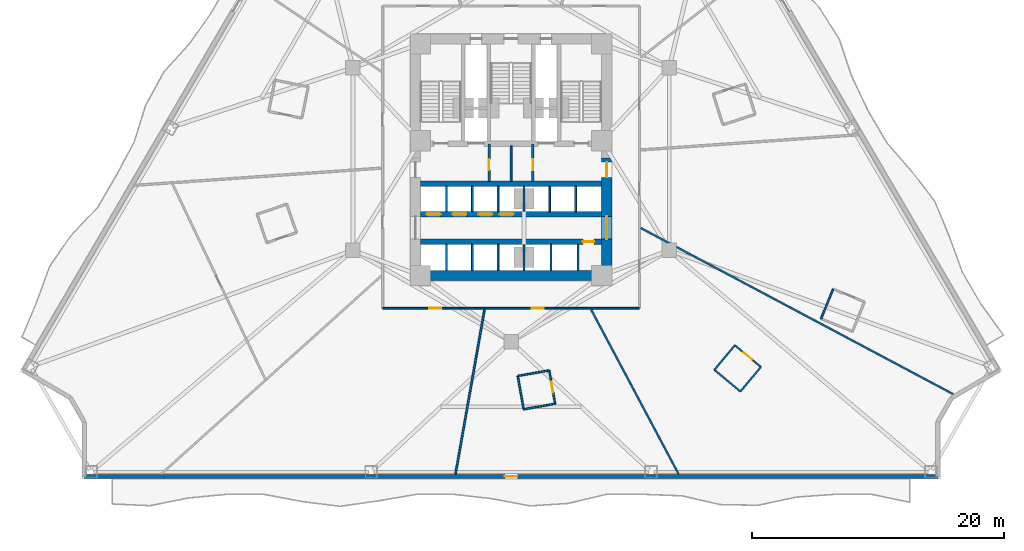
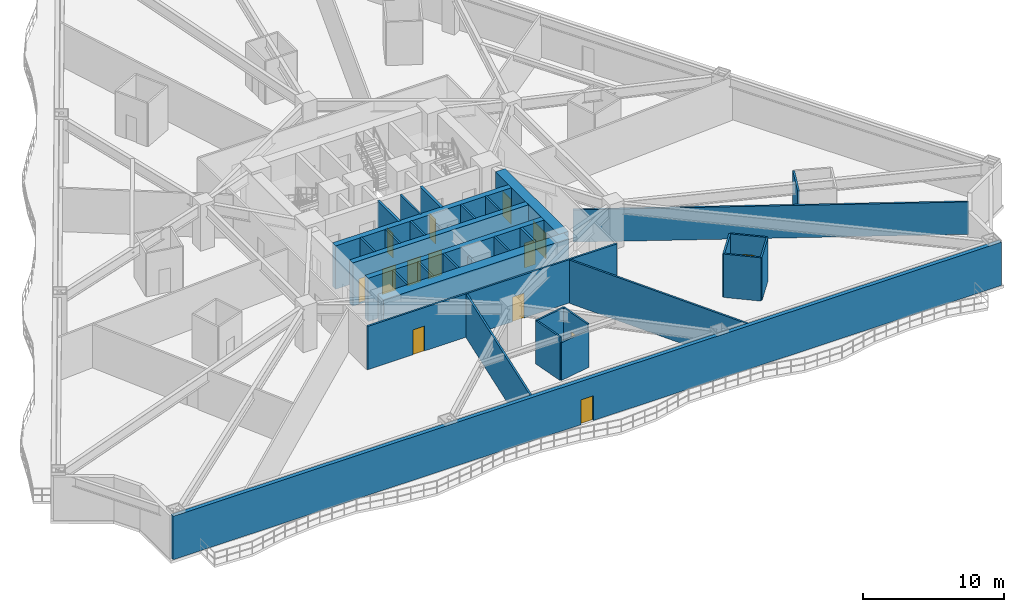
# One storey, part 4 of 12: 34 walls, 14 doors, 14 openings.
"""IFC4 building model written with IfcOpenShell, lengths in metres."""

from ifc_helpers import new_model, si_unit, direction, frame, frame_2d, origin, place, context, subcontext, project, spatial, rectangle, extrude, material, layer, layer_set, type_object, element, fill, save


model = new_model("IFC4")

# Units and contexts
model_context = context("Model", 3, precision=1e-05, world=origin(), true_north=direction((0.0, 1.0)))
body_context = subcontext(model_context, "Body", "Model", "MODEL_VIEW")
ifc_project = project(units=[si_unit("LENGTHUNIT", "METRE"), si_unit("AREAUNIT", "SQUARE_METRE"), si_unit("VOLUMEUNIT", "CUBIC_METRE"), si_unit("PLANEANGLEUNIT", "RADIAN"), si_unit("MASSUNIT", "GRAM", prefix="KILO")], contexts=[model_context])

# Site, building, storey
site_placement = place(None, origin())
site = spatial("IfcSite", under=ifc_project, at=site_placement, CompositionType="ELEMENT")
building_placement = place(site_placement, origin())
building = spatial("IfcBuilding", under=site, at=building_placement, Name="Apsidion Concourse Tower", CompositionType="ELEMENT")
storey_placement = place(building_placement, frame((0.0, 0.0, 34.39990234375)))
storey = spatial("IfcBuildingStorey", under=building, at=storey_placement, Name="L06", CompositionType="ELEMENT", Elevation=34.39990234375)

# Wall, opening, door
ifc_material_1 = material(Name="Precast concrete C40/50", Category="concrete")
ifc_layer_1 = layer(ifc_material_1, 0.320068359375)
ifc_layer_set_1 = layer_set([ifc_layer_1], Name="Precast concrete C40/50")
wall_type_1 = type_object("IfcWallType", Name="WL-EXT-320", PredefinedType="STANDARD", material=ifc_layer_set_1)
wall_1_placement = place(storey_placement, frame((33.88818359375, -25.199951171875, 0.0), z_axis=(0.0, 0.0, 1.0), x_axis=(-1.0, 0.0, 0.0)))
wall_1 = element("IfcWall", 1, at=wall_1_placement, inside=storey, type_object=wall_type_1, Name="L06 Precast Stone Facade Wall 05", PredefinedType="STANDARD", context=body_context, shape_type="SweptSolid", body=[
    extrude(rectangle(XDim=67.7763671875, YDim=0.320068359375, at=frame_2d((33.88818359375, 0.0))), origin(), (0.0, 0.0, 1.0), 3.75),
])
opening_1_placement = place(wall_1_placement, frame((33.38818359375, 0.0, 0.0)))
opening_1 = element("IfcOpeningElement", 2, at=opening_1_placement, cuts=wall_1, Name="Opening D-T1R", PredefinedType="OPENING", context=body_context, shape_type="SweptSolid", body=[
    extrude(rectangle(XDim=1.0, YDim=2.14990234375, at=frame_2d((0.5, 1.074951171875))), frame((0.0, 0.169921875, 0.0), z_axis=(0.0, -1.0, 0.0), x_axis=(1.0, 0.0, 0.0)), (0.0, 0.0, 1.0), 0.340087890625),
])
ifc_material_2 = material(Name="Anodised aluminium EN AW-6063 T6", Category="aluminium")
door_type_1 = type_object("IfcDoorType", Name="DR-TER-1022R", OperationType="SINGLE_SWING_RIGHT", PredefinedType="DOOR", material=ifc_material_2)
door_1_placement = place(opening_1_placement, origin())
door_1 = element("IfcDoor", 3, at=door_1_placement, inside=storey, type_object=door_type_1, Name="L06 Balcony Access Door 2", OperationType="SINGLE_SWING_RIGHT", OverallHeight=2.14990234375, OverallWidth=1.0, PredefinedType="DOOR", context=body_context, shape_type="SweptSolid", body=[
    extrude(rectangle(XDim=1.0, YDim=2.14990234375, at=frame_2d((0.5, 1.074951171875))), frame((0.0, 0.02490234375, 0.0), z_axis=(0.0, -1.0, 0.0), x_axis=(1.0, 0.0, 0.0)), (0.0, 0.0, 1.0), 0.050048828125),
])
fill(opening_1, door_1)

# Walls
ifc_material_3 = material(Name="Gypsum plasterboard partition")
ifc_layer_2 = layer(ifc_material_3, 0.139892578125)
ifc_layer_set_2 = layer_set([ifc_layer_2], Name="Gypsum plasterboard partition")
wall_type_2 = type_object("IfcWallType", Name="WL-INT-PAR-140", PredefinedType="PARTITIONING", material=ifc_layer_set_2)
wall_2_placement = place(storey_placement, frame((0.53271484375, -17.226806640625, 0.0), z_axis=(0.0, 0.0, 1.0), x_axis=(0.173707672725, -0.984797260575, 0.0)))
element("IfcWall", 4, at=wall_2_placement, inside=storey, type_object=wall_type_2, Name="L06 Interior Partition WL-L06-POD-ENS02-S1", PredefinedType="PARTITIONING", context=body_context, shape_type="SweptSolid", body=[
    extrude(rectangle(XDim=2.690185546875, YDim=0.139892578125, at=frame_2d((1.34521484375, 0.0))), origin(), (0.0, 0.0, 1.0), 3.75),
])
wall_3_placement = place(storey_placement, frame((1.0, -19.8759765625, 0.0), z_axis=(0.0, 0.0, 1.0), x_axis=(0.984799038106, 0.173697595106, 0.0)))
element("IfcWall", 5, at=wall_3_placement, inside=storey, type_object=wall_type_2, Name="L06 Interior Partition WL-L06-POD-ENS02-S2", PredefinedType="PARTITIONING", context=body_context, shape_type="SweptSolid", body=[
    extrude(rectangle(XDim=2.539794921875, YDim=0.139892578125, at=frame_2d((1.27001953125, 0.0))), origin(), (0.0, 0.0, 1.0), 3.254150390625),
])

# Wall, opening, door
wall_4_placement = place(storey_placement, frame((3.501220703125, -19.434814453125, 0.0), z_axis=(0.0, 0.0, 1.0), x_axis=(-0.17363517219, 0.98481004614, 0.0)))
wall_4 = element("IfcWall", 6, at=wall_4_placement, inside=storey, type_object=wall_type_2, Name="L06 Interior Partition WL-L06-POD-ENS02-S3", PredefinedType="PARTITIONING", context=body_context, shape_type="SweptSolid", body=[
    extrude(rectangle(XDim=2.689697265625, YDim=0.139892578125, at=frame_2d((1.3447265625, 0.0))), origin(), (0.0, 0.0, 1.0), 3.75),
])
opening_2_placement = place(wall_4_placement, frame((0.905029296875, 0.0, 0.0)))
opening_2 = element("IfcOpeningElement", 7, at=opening_2_placement, cuts=wall_4, Name="Opening D-03L", PredefinedType="OPENING", context=body_context, shape_type="SweptSolid", body=[
    extrude(rectangle(XDim=0.8798828125, YDim=2.10009765625, at=frame_2d((0.43994140625, 1.050048828125))), frame((0.0, 0.080078125, 0.0), z_axis=(0.0, -1.0, 0.0), x_axis=(1.0, 0.0, 0.0)), (0.0, 0.0, 1.0), 0.159912109375),
])
door_type_2 = type_object("IfcDoorType", Name="DR-INT-D03L", OperationType="SINGLE_SWING_LEFT", PredefinedType="DOOR", material=ifc_material_2)
door_2_placement = place(opening_2_placement, origin())
door_2 = element("IfcDoor", 8, at=door_2_placement, inside=storey, type_object=door_type_2, Name="L06 Guest En-Suite Bathroom Door ENS02", OperationType="SINGLE_SWING_LEFT", OverallHeight=2.10009765625, OverallWidth=0.8798828125, PredefinedType="DOOR", context=body_context, shape_type="SweptSolid", body=[
    extrude(rectangle(XDim=0.8798828125, YDim=2.10009765625, at=frame_2d((0.43994140625, 1.050048828125))), frame((0.0, 0.02490234375, 0.0), z_axis=(0.0, -1.0, 0.0), x_axis=(1.0, 0.0, 0.0)), (0.0, 0.0, 1.0), 0.050048828125),
])
fill(opening_2, door_2)

# Walls
wall_5_placement = place(storey_placement, frame((3.0341796875, -16.785888671875, 0.0), z_axis=(0.0, 0.0, 1.0), x_axis=(-0.98481837351, -0.173587935054, 0.0)))
element("IfcWall", 9, at=wall_5_placement, inside=storey, type_object=wall_type_2, Name="L06 Interior Partition WL-L06-POD-ENS02-S4", PredefinedType="PARTITIONING", context=body_context, shape_type="SweptSolid", body=[
    extrude(rectangle(XDim=2.5400390625, YDim=0.139892578125, at=frame_2d((1.27001953125, 0.0))), origin(), (0.0, 0.0, 1.0), 3.75),
])
wall_6_placement = place(storey_placement, frame((16.14794921875, -16.7392578125, 0.0), z_axis=(0.0, 0.0, 1.0), x_axis=(0.76716376368, -0.641451291757, 0.0)))
element("IfcWall", 10, at=wall_6_placement, inside=storey, type_object=wall_type_2, Name="L06 Interior Partition WL-L06-POD-ENS03-S1", PredefinedType="PARTITIONING", context=body_context, shape_type="SweptSolid", body=[
    extrude(rectangle(XDim=2.689697265625, YDim=0.139892578125, at=frame_2d((1.3447265625, 0.0))), origin(), (0.0, 0.0, 1.0), 3.75),
])
wall_7_placement = place(storey_placement, frame((18.21142578125, -18.464599609375, 0.0), z_axis=(0.0, 0.0, 1.0), x_axis=(0.641497613341, 0.767125030277, 0.0)))
element("IfcWall", 11, at=wall_7_placement, inside=storey, type_object=wall_type_2, Name="L06 Interior Partition WL-L06-POD-ENS03-S2", PredefinedType="PARTITIONING", context=body_context, shape_type="SweptSolid", body=[
    extrude(rectangle(XDim=2.5400390625, YDim=0.139892578125, at=frame_2d((1.27001953125, 0.0))), origin(), (0.0, 0.0, 1.0), 3.75),
])

# Wall, opening, door
wall_8_placement = place(storey_placement, frame((19.8408203125, -16.51611328125, 0.0), z_axis=(0.0, 0.0, 1.0), x_axis=(-0.767156445247, 0.641460044364, 0.0)))
wall_8 = element("IfcWall", 12, at=wall_8_placement, inside=storey, type_object=wall_type_2, Name="L06 Interior Partition WL-L06-POD-ENS03-S3", PredefinedType="PARTITIONING", context=body_context, shape_type="SweptSolid", body=[
    extrude(rectangle(XDim=2.690185546875, YDim=0.139892578125, at=frame_2d((1.34521484375, 0.0))), origin(), (0.0, 0.0, 1.0), 3.75),
])
opening_3_placement = place(wall_8_placement, frame((0.905029296875, 0.0, 0.0)))
opening_3 = element("IfcOpeningElement", 13, at=opening_3_placement, cuts=wall_8, Name="Opening D-03R", PredefinedType="OPENING", context=body_context, shape_type="SweptSolid", body=[
    extrude(rectangle(XDim=0.8798828125, YDim=2.10009765625, at=frame_2d((0.43994140625, 1.050048828125))), frame((0.0, 0.080078125, 0.0), z_axis=(0.0, -1.0, 0.0), x_axis=(1.0, 0.0, 0.0)), (0.0, 0.0, 1.0), 0.159912109375),
])
door_type_3 = type_object("IfcDoorType", Name="DR-INT-D03R", OperationType="SINGLE_SWING_RIGHT", PredefinedType="DOOR", material=ifc_material_2)
door_3_placement = place(opening_3_placement, origin())
door_3 = element("IfcDoor", 14, at=door_3_placement, inside=storey, type_object=door_type_3, Name="L06 Guest En-Suite Bathroom Door ENS03", OperationType="SINGLE_SWING_RIGHT", OverallHeight=2.10009765625, OverallWidth=0.8798828125, PredefinedType="DOOR", context=body_context, shape_type="SweptSolid", body=[
    extrude(rectangle(XDim=0.8798828125, YDim=2.10009765625, at=frame_2d((0.43994140625, 1.050048828125))), frame((0.0, 0.02490234375, 0.0), z_axis=(0.0, -1.0, 0.0), x_axis=(1.0, 0.0, 0.0)), (0.0, 0.0, 1.0), 0.050048828125),
])
fill(opening_3, door_3)

# Walls
wall_9_placement = place(storey_placement, frame((17.777099609375, -14.79052734375, 0.0), z_axis=(0.0, 0.0, 1.0), x_axis=(-0.641393743612, -0.767211877942, 0.0)))
element("IfcWall", 15, at=wall_9_placement, inside=storey, type_object=wall_type_2, Name="L06 Interior Partition WL-L06-POD-ENS03-S4", PredefinedType="PARTITIONING", context=body_context, shape_type="SweptSolid", body=[
    extrude(rectangle(XDim=2.5400390625, YDim=0.139892578125, at=frame_2d((1.27001953125, 0.0))), origin(), (0.0, 0.0, 1.0), 3.75),
])
wall_10_placement = place(storey_placement, frame((25.57568359375, -10.328857421875, 0.0), z_axis=(0.0, 0.0, 1.0), x_axis=(-0.376224921193, -0.926528363664, 0.0)))
element("IfcWall", 16, at=wall_10_placement, inside=storey, type_object=wall_type_2, Name="L06 Interior Partition WL-L06-POD-ENS04-S4", PredefinedType="PARTITIONING", context=body_context, shape_type="SweptSolid", body=[
    extrude(rectangle(XDim=2.539794921875, YDim=0.139892578125, at=frame_2d((1.27001953125, 0.0))), origin(), (0.0, 0.0, 1.0), 3.75),
])
ifc_layer_3 = layer(ifc_material_3, 0.14990234375)
ifc_layer_set_3 = layer_set([ifc_layer_3], Name="Gypsum plasterboard partition")
wall_type_3 = type_object("IfcWallType", Name="WL-INT-PAR-150", PredefinedType="PARTITIONING", material=ifc_layer_set_3)
for number, where, z_axis, x_axis, name in (
    (17, (-5.125, -4.179931640625, 0.0), (0.0, 0.0, 1.0), (0.0, 1.0, 0.0), "L06 Interior Partition WL-L06-B1DIV-1"),
    (18, (-3.074951171875, -4.179931640625, 0.0), (0.0, 0.0, 1.0), (0.0, 1.0, 0.0), "L06 Interior Partition WL-L06-B1DIV-2"),
    (19, (-1.02490234375, -4.179931640625, 0.0), (0.0, 0.0, 1.0), (0.0, 1.0, 0.0), "L06 Interior Partition WL-L06-B1DIV-3"),
    (20, (3.074951171875, -4.179931640625, 0.0), (0.0, 0.0, 1.0), (0.0, 1.0, 0.0), "L06 Interior Partition WL-L06-B3DIV-1"),
    (21, (5.125, -4.179931640625, 0.0), (0.0, 0.0, 1.0), (0.0, 1.0, 0.0), "L06 Interior Partition WL-L06-B3DIV-2"),
):
    element("IfcWall", number, at=place(storey_placement, frame(where, z_axis=z_axis, x_axis=x_axis)), inside=storey, type_object=wall_type_3, Name=name, PredefinedType="PARTITIONING", context=body_context, shape_type="SweptSolid", body=[
        extrude(rectangle(XDim=2.030029296875, YDim=0.14990234375, at=frame_2d((1.01513671875, 0.0))), origin(), (0.0, 0.0, 1.0), 3.75),
    ])
for number, where, z_axis, x_axis, name in (
    (22, (-5.125, -8.85009765625, 0.0), (0.0, 0.0, 1.0), (0.0, 1.0, 0.0), "L06 Interior Partition WL-L06-B2DIV-1"),
    (23, (-3.074951171875, -8.85009765625, 0.0), (0.0, 0.0, 1.0), (0.0, 1.0, 0.0), "L06 Interior Partition WL-L06-B2DIV-2"),
    (24, (-1.02490234375, -8.85009765625, 0.0), (0.0, 0.0, 1.0), (0.0, 1.0, 0.0), "L06 Interior Partition WL-L06-B2DIV-3"),
    (25, (3.175048828125, -8.85009765625, 0.0), (0.0, 0.0, 1.0), (0.0, 1.0, 0.0), "L06 Interior Partition WL-L06-SHDIV-1"),
):
    element("IfcWall", number, at=place(storey_placement, frame(where, z_axis=z_axis, x_axis=x_axis)), inside=storey, type_object=wall_type_3, Name=name, PredefinedType="PARTITIONING", context=body_context, shape_type="SweptSolid", body=[
        extrude(rectangle(XDim=2.080078125, YDim=0.14990234375, at=frame_2d((1.0400390625, 0.0))), origin(), (0.0, 0.0, 1.0), 3.75),
    ])
wall_11_placement = place(storey_placement, frame((0.0, -1.780029296875, 0.0), z_axis=(0.0, 0.0, 1.0), x_axis=(0.0, 1.0, 0.0)))
element("IfcWall", 26, at=wall_11_placement, inside=storey, type_object=wall_type_3, Name="L06 Interior Partition WL-L06-K3V", PredefinedType="PARTITIONING", context=body_context, shape_type="SweptSolid", body=[
    extrude(rectangle(XDim=2.830078125, YDim=0.14990234375, at=frame_2d((1.4150390625, 0.0))), origin(), (0.0, 0.0, 1.0), 3.75),
])

# Wall, openings, doors
wall_12_placement = place(storey_placement, frame((10.199951171875, -11.85009765625, 0.0), z_axis=(0.0, 0.0, 1.0), x_axis=(-1.0, 0.0, 0.0)))
wall_12 = element("IfcWall", 27, at=wall_12_placement, inside=storey, type_object=wall_type_3, Name="L06 Interior Partition WL-L06-CORR-03", PredefinedType="PARTITIONING", context=body_context, shape_type="SweptSolid", body=[
    extrude(rectangle(XDim=20.39990234375, YDim=0.14990234375, at=frame_2d((10.199951171875, 0.0))), origin(), (0.0, 0.0, 1.0), 3.75),
])
opening_4_placement = place(wall_12_placement, frame((15.7490234375, 0.0, 0.0)))
opening_4 = element("IfcOpeningElement", 28, at=opening_4_placement, cuts=wall_12, Name="Opening D-01R", PredefinedType="OPENING", context=body_context, shape_type="SweptSolid", body=[
    extrude(rectangle(XDim=0.949951171875, YDim=2.14990234375, at=frame_2d((0.47509765625, 1.074951171875))), frame((0.0, 0.0849609375, 0.0), z_axis=(0.0, -1.0, 0.0), x_axis=(1.0, 0.0, 0.0)), (0.0, 0.0, 1.0), 0.169921875),
])
opening_5_placement = place(wall_12_placement, frame((7.603515625, 0.0, 0.0)))
opening_5 = element("IfcOpeningElement", 29, at=opening_5_placement, cuts=wall_12, Name="Opening D-01L", PredefinedType="OPENING", context=body_context, shape_type="SweptSolid", body=[
    extrude(rectangle(XDim=0.949951171875, YDim=2.14990234375, at=frame_2d((0.47509765625, 1.074951171875))), frame((0.0, 0.0849609375, 0.0), z_axis=(0.0, -1.0, 0.0), x_axis=(1.0, 0.0, 0.0)), (0.0, 0.0, 1.0), 0.169921875),
])
ifc_material_4 = material(Name="Brushed stainless steel 316", Category="steel")
door_type_4 = type_object("IfcDoorType", Name="DR-INT-D01L", OperationType="SINGLE_SWING_LEFT", PredefinedType="DOOR", material=ifc_material_4)
door_4_placement = place(opening_5_placement, origin())
door_4 = element("IfcDoor", 30, at=door_4_placement, inside=storey, type_object=door_type_4, Name="L06 Corridor Entry Door 03", OperationType="SINGLE_SWING_LEFT", OverallHeight=2.14990234375, OverallWidth=0.949951171875, PredefinedType="DOOR", context=body_context, shape_type="SweptSolid", body=[
    extrude(rectangle(XDim=0.949951171875, YDim=2.14990234375, at=frame_2d((0.47509765625, 1.074951171875))), frame((0.0, 0.02490234375, 0.0), z_axis=(0.0, -1.0, 0.0), x_axis=(1.0, 0.0, 0.0)), (0.0, 0.0, 1.0), 0.050048828125),
])
fill(opening_5, door_4)
door_type_5 = type_object("IfcDoorType", Name="DR-INT-D01R", OperationType="SINGLE_SWING_RIGHT", PredefinedType="DOOR", material=ifc_material_4)
door_5_placement = place(opening_4_placement, origin())
door_5 = element("IfcDoor", 31, at=door_5_placement, inside=storey, type_object=door_type_5, Name="L06 Corridor Entry Door 02", OperationType="SINGLE_SWING_RIGHT", OverallHeight=2.14990234375, OverallWidth=0.949951171875, PredefinedType="DOOR", context=body_context, shape_type="SweptSolid", body=[
    extrude(rectangle(XDim=0.949951171875, YDim=2.14990234375, at=frame_2d((0.47509765625, 1.074951171875))), frame((0.0, 0.02490234375, 0.0), z_axis=(0.0, -1.0, 0.0), x_axis=(1.0, 0.0, 0.0)), (0.0, 0.0, 1.0), 0.050048828125),
])
fill(opening_4, door_5)

# Walls
wall_13_placement = place(storey_placement, frame((-2.10791015625, -11.955078125, 0.0), z_axis=(0.0, 0.0, 1.0), x_axis=(-0.173657301911, -0.984806144118, 0.0)))
element("IfcWall", 32, at=wall_13_placement, inside=storey, type_object=wall_type_3, Name="L06 Interior Partition WL-L06-RAD-08-1", PredefinedType="PARTITIONING", context=body_context, shape_type="SweptSolid", body=[
    extrude(rectangle(XDim=13.271484375, YDim=0.14990234375, at=frame_2d((6.6357421875, 0.0))), origin(), (0.0, 0.0, 1.0), 3.75),
])
wall_14_placement = place(storey_placement, frame((6.356689453125, -11.955078125, 0.0), z_axis=(0.0, 0.0, 1.0), x_axis=(0.469464713073, -0.882951234882, 0.0)))
element("IfcWall", 33, at=wall_14_placement, inside=storey, type_object=wall_type_3, Name="L06 Interior Partition WL-L06-RAD-09-1", PredefinedType="PARTITIONING", context=body_context, shape_type="SweptSolid", body=[
    extrude(rectangle(XDim=14.802490234375, YDim=0.14990234375, at=frame_2d((7.4013671875, 0.0))), origin(), (0.0, 0.0, 1.0), 3.75),
])
wall_15_placement = place(storey_placement, frame((10.304931640625, -5.479248046875, 0.0), z_axis=(0.0, 0.0, 1.0), x_axis=(0.882948770752, -0.469469347484, 0.0)))
element("IfcWall", 34, at=wall_15_placement, inside=storey, type_object=wall_type_3, Name="L06 Interior Partition WL-L06-RAD-10-1", PredefinedType="PARTITIONING", context=body_context, shape_type="SweptSolid", body=[
    extrude(rectangle(XDim=28.107421875, YDim=0.14990234375, at=frame_2d((14.0537109375, 0.0))), origin(), (0.0, 0.0, 1.0), 2.798095703125),
])
ifc_layer_4 = layer(ifc_material_3, 0.179931640625)
ifc_layer_set_4 = layer_set([ifc_layer_4], Name="Gypsum plasterboard partition")
wall_type_4 = type_object("IfcWallType", Name="WL-INT-PAR-180", PredefinedType="PARTITIONING", material=ifc_layer_set_4)
wall_16_placement = place(storey_placement, frame((1.02490234375, -4.179931640625, 0.0), z_axis=(0.0, 0.0, 1.0), x_axis=(0.0, 1.0, 0.0)))
element("IfcWall", 35, at=wall_16_placement, inside=storey, type_object=wall_type_4, Name="L06 Interior Partition WL-L06-B1END", PredefinedType="PARTITIONING", context=body_context, shape_type="SweptSolid", body=[
    extrude(rectangle(XDim=2.030029296875, YDim=0.179931640625, at=frame_2d((1.01513671875, 0.0))), origin(), (0.0, 0.0, 1.0), 2.798095703125),
])
wall_17_placement = place(storey_placement, frame((1.02490234375, -8.85009765625, 0.0), z_axis=(0.0, 0.0, 1.0), x_axis=(0.0, 1.0, 0.0)))
element("IfcWall", 36, at=wall_17_placement, inside=storey, type_object=wall_type_4, Name="L06 Interior Partition WL-L06-B2END", PredefinedType="PARTITIONING", context=body_context, shape_type="SweptSolid", body=[
    extrude(rectangle(XDim=2.080078125, YDim=0.179931640625, at=frame_2d((1.0400390625, 0.0))), origin(), (0.0, 0.0, 1.0), 2.798095703125),
])
wall_18_placement = place(storey_placement, frame((5.324951171875, -8.85009765625, 0.0), z_axis=(0.0, 0.0, 1.0), x_axis=(0.0, 1.0, 0.0)))
element("IfcWall", 37, at=wall_18_placement, inside=storey, type_object=wall_type_4, Name="L06 Interior Partition WL-L06-SHDIV-2", PredefinedType="PARTITIONING", context=body_context, shape_type="SweptSolid", body=[
    extrude(rectangle(XDim=2.080078125, YDim=0.179931640625, at=frame_2d((1.0400390625, 0.0))), origin(), (0.0, 0.0, 1.0), 3.75),
])

# Wall, opening, door
ifc_layer_5 = layer(ifc_material_3, 0.199951171875)
ifc_layer_set_5 = layer_set([ifc_layer_5], Name="Gypsum plasterboard partition")
wall_type_5 = type_object("IfcWallType", Name="WL-INT-PAR-200", PredefinedType="PARTITIONING", material=ifc_layer_set_5)
wall_19_placement = place(storey_placement, frame((-1.739990234375, -1.780029296875, 0.0), z_axis=(0.0, 0.0, 1.0), x_axis=(0.0, 1.0, 0.0)))
wall_19 = element("IfcWall", 38, at=wall_19_placement, inside=storey, type_object=wall_type_5, Name="L06 Interior Partition WL-L06-FF1-E", PredefinedType="PARTITIONING", context=body_context, shape_type="SweptSolid", body=[
    extrude(rectangle(XDim=2.97998046875, YDim=0.199951171875, at=frame_2d((1.489990234375, 0.0))), origin(), (0.0, 0.0, 1.0), 3.75),
])
opening_6_placement = place(wall_19_placement, frame((0.889892578125, 0.0, 0.0)))
opening_6 = element("IfcOpeningElement", 39, at=opening_6_placement, cuts=wall_19, Name="Opening D-05R", PredefinedType="OPENING", context=body_context, shape_type="SweptSolid", body=[
    extrude(rectangle(XDim=0.8798828125, YDim=2.14990234375, at=frame_2d((0.43994140625, 1.074951171875))), frame((0.0, 0.10986328125, 0.0), z_axis=(0.0, -1.0, 0.0), x_axis=(1.0, 0.0, 0.0)), (0.0, 0.0, 1.0), 0.219970703125),
])
door_type_6 = type_object("IfcDoorType", Name="DR-INT-D05R", OperationType="SINGLE_SWING_RIGHT", PredefinedType="DOOR", material=ifc_material_4)
door_6_placement = place(opening_6_placement, origin())
door_6 = element("IfcDoor", 40, at=door_6_placement, inside=storey, type_object=door_type_6, Name="L06 Core Pantry Door", OperationType="SINGLE_SWING_RIGHT", OverallHeight=2.14990234375, OverallWidth=0.8798828125, PredefinedType="DOOR", context=body_context, shape_type="SweptSolid", body=[
    extrude(rectangle(XDim=0.8798828125, YDim=2.14990234375, at=frame_2d((0.43994140625, 1.074951171875))), frame((0.0, 0.02490234375, 0.0), z_axis=(0.0, -1.0, 0.0), x_axis=(1.0, 0.0, 0.0)), (0.0, 0.0, 1.0), 0.050048828125),
])
fill(opening_6, door_6)

wall_20_placement = place(storey_placement, frame((1.739990234375, -1.780029296875, 0.0), z_axis=(0.0, 0.0, 1.0), x_axis=(0.0, 1.0, 0.0)))
wall_20 = element("IfcWall", 41, at=wall_20_placement, inside=storey, type_object=wall_type_5, Name="L06 Interior Partition WL-L06-FF2-W", PredefinedType="PARTITIONING", context=body_context, shape_type="SweptSolid", body=[
    extrude(rectangle(XDim=2.97998046875, YDim=0.199951171875, at=frame_2d((1.489990234375, 0.0))), origin(), (0.0, 0.0, 1.0), 3.75),
])
opening_7_placement = place(wall_20_placement, frame((0.889892578125, 0.0, 0.0)))
opening_7 = element("IfcOpeningElement", 42, at=opening_7_placement, cuts=wall_20, Name="Opening D-05L", PredefinedType="OPENING", context=body_context, shape_type="SweptSolid", body=[
    extrude(rectangle(XDim=0.8798828125, YDim=2.14990234375, at=frame_2d((0.43994140625, 1.074951171875))), frame((0.0, 0.10986328125, 0.0), z_axis=(0.0, -1.0, 0.0), x_axis=(1.0, 0.0, 0.0)), (0.0, 0.0, 1.0), 0.219970703125),
])
door_type_7 = type_object("IfcDoorType", Name="DR-INT-D05L", OperationType="SINGLE_SWING_LEFT", PredefinedType="DOOR", material=ifc_material_4)
door_7_placement = place(opening_7_placement, origin())
door_7 = element("IfcDoor", 43, at=door_7_placement, inside=storey, type_object=door_type_7, Name="L06 Core Electrical Door", OperationType="SINGLE_SWING_LEFT", OverallHeight=2.14990234375, OverallWidth=0.8798828125, PredefinedType="DOOR", context=body_context, shape_type="SweptSolid", body=[
    extrude(rectangle(XDim=0.8798828125, YDim=2.14990234375, at=frame_2d((0.43994140625, 1.074951171875))), frame((0.0, 0.02490234375, 0.0), z_axis=(0.0, -1.0, 0.0), x_axis=(1.0, 0.0, 0.0)), (0.0, 0.0, 1.0), 0.050048828125),
])
fill(opening_7, door_7)

# Wall
ifc_material_5 = material(Name="Concrete C60/75", Category="concrete")
ifc_layer_6 = layer(ifc_material_5, 0.449951171875)
ifc_layer_set_6 = layer_set([ifc_layer_6], Name="Concrete C60/75")
wall_type_6 = type_object("IfcWallType", Name="WL-SH-450", PredefinedType="SHEAR", material=ifc_layer_set_6)
wall_21_placement = place(storey_placement, frame((-7.199951171875, -1.949951171875, 0.0), z_axis=(0.0, 0.0, 1.0), x_axis=(1.0, 0.0, 0.0)))
element("IfcWall", 44, at=wall_21_placement, inside=storey, type_object=wall_type_6, Name="L06 Central Core Shear Wall M2", PredefinedType="SHEAR", context=body_context, shape_type="SweptSolid", body=[
    extrude(rectangle(XDim=14.39990234375, YDim=0.449951171875, at=frame_2d((7.199951171875, 0.0))), origin(), (0.0, 0.0, 1.0), 3.75),
])

# Wall, openings, doors
wall_22_placement = place(storey_placement, frame((-7.199951171875, -4.3798828125, 0.0), z_axis=(0.0, 0.0, 1.0), x_axis=(1.0, 0.0, 0.0)))
wall_22 = element("IfcWall", 45, at=wall_22_placement, inside=storey, type_object=wall_type_6, Name="L06 Central Core Shear Wall LA", PredefinedType="SHEAR", context=body_context, shape_type="SweptSolid", body=[
    extrude(rectangle(XDim=14.39990234375, YDim=0.449951171875, at=frame_2d((7.199951171875, 0.0))), origin(), (0.0, 0.0, 1.0), 3.75),
])
opening_8_placement = place(wall_22_placement, frame((0.5, 0.0, 0.0)))
opening_8 = element("IfcOpeningElement", 46, at=opening_8_placement, cuts=wall_22, Name="Opening LD-P1", PredefinedType="OPENING", context=body_context, shape_type="SweptSolid", body=[
    extrude(rectangle(XDim=1.10009765625, YDim=2.199951171875, at=frame_2d((0.550048828125, 1.10009765625))), frame((0.0, 0.23486328125, 0.0), z_axis=(0.0, -1.0, 0.0), x_axis=(1.0, 0.0, 0.0)), (0.0, 0.0, 1.0), 0.469970703125),
])
opening_9_placement = place(wall_22_placement, frame((2.550048828125, 0.0, 0.0)))
opening_9 = element("IfcOpeningElement", 47, at=opening_9_placement, cuts=wall_22, Name="Opening LD-P1", PredefinedType="OPENING", context=body_context, shape_type="SweptSolid", body=[
    extrude(rectangle(XDim=1.10009765625, YDim=2.199951171875, at=frame_2d((0.550048828125, 1.10009765625))), frame((0.0, 0.23486328125, 0.0), z_axis=(0.0, -1.0, 0.0), x_axis=(1.0, 0.0, 0.0)), (0.0, 0.0, 1.0), 0.469970703125),
])
opening_10_placement = place(wall_22_placement, frame((4.60009765625, 0.0, 0.0)))
opening_10 = element("IfcOpeningElement", 48, at=opening_10_placement, cuts=wall_22, Name="Opening LD-P1", PredefinedType="OPENING", context=body_context, shape_type="SweptSolid", body=[
    extrude(rectangle(XDim=1.10009765625, YDim=2.199951171875, at=frame_2d((0.550048828125, 1.10009765625))), frame((0.0, 0.23486328125, 0.0), z_axis=(0.0, -1.0, 0.0), x_axis=(1.0, 0.0, 0.0)), (0.0, 0.0, 1.0), 0.469970703125),
])
opening_11_placement = place(wall_22_placement, frame((6.300048828125, 0.0, 0.0)))
opening_11 = element("IfcOpeningElement", 49, at=opening_11_placement, cuts=wall_22, Name="Opening LD-P1", PredefinedType="OPENING", context=body_context, shape_type="SweptSolid", body=[
    extrude(rectangle(XDim=1.10009765625, YDim=2.199951171875, at=frame_2d((0.550048828125, 1.10009765625))), frame((0.0, 0.23486328125, 0.0), z_axis=(0.0, -1.0, 0.0), x_axis=(1.0, 0.0, 0.0)), (0.0, 0.0, 1.0), 0.469970703125),
])
door_type_8 = type_object("IfcDoorType", Name="DR-LD-PASS", OperationType="DOUBLE_DOOR_SLIDING", PredefinedType="DOOR", material=ifc_material_4)
door_8_placement = place(opening_8_placement, origin())
door_8 = element("IfcDoor", 50, at=door_8_placement, inside=storey, type_object=door_type_8, Name="L06 Lift Landing Door P1", OperationType="DOUBLE_DOOR_SLIDING", OverallHeight=2.199951171875, OverallWidth=1.10009765625, PredefinedType="DOOR", context=body_context, shape_type="SweptSolid", body=[
    extrude(rectangle(XDim=1.10009765625, YDim=2.199951171875, at=frame_2d((0.550048828125, 1.10009765625))), frame((0.0, 0.02490234375, 0.0), z_axis=(0.0, -1.0, 0.0), x_axis=(1.0, 0.0, 0.0)), (0.0, 0.0, 1.0), 0.050048828125),
])
fill(opening_8, door_8)
door_9_placement = place(opening_9_placement, origin())
door_9 = element("IfcDoor", 51, at=door_9_placement, inside=storey, type_object=door_type_8, Name="L06 Lift Landing Door P2", OperationType="DOUBLE_DOOR_SLIDING", OverallHeight=2.199951171875, OverallWidth=1.10009765625, PredefinedType="DOOR", context=body_context, shape_type="SweptSolid", body=[
    extrude(rectangle(XDim=1.10009765625, YDim=2.199951171875, at=frame_2d((0.550048828125, 1.10009765625))), frame((0.0, 0.02490234375, 0.0), z_axis=(0.0, -1.0, 0.0), x_axis=(1.0, 0.0, 0.0)), (0.0, 0.0, 1.0), 0.050048828125),
])
fill(opening_9, door_9)
door_10_placement = place(opening_10_placement, origin())
door_10 = element("IfcDoor", 52, at=door_10_placement, inside=storey, type_object=door_type_8, Name="L06 Lift Landing Door P3", OperationType="DOUBLE_DOOR_SLIDING", OverallHeight=2.199951171875, OverallWidth=1.10009765625, PredefinedType="DOOR", context=body_context, shape_type="SweptSolid", body=[
    extrude(rectangle(XDim=1.10009765625, YDim=2.199951171875, at=frame_2d((0.550048828125, 1.10009765625))), frame((0.0, 0.02490234375, 0.0), z_axis=(0.0, -1.0, 0.0), x_axis=(1.0, 0.0, 0.0)), (0.0, 0.0, 1.0), 0.050048828125),
])
fill(opening_10, door_10)
door_11_placement = place(opening_11_placement, origin())
door_11 = element("IfcDoor", 53, at=door_11_placement, inside=storey, type_object=door_type_8, Name="L06 Lift Landing Door P4", OperationType="DOUBLE_DOOR_SLIDING", OverallHeight=2.199951171875, OverallWidth=1.10009765625, PredefinedType="DOOR", context=body_context, shape_type="SweptSolid", body=[
    extrude(rectangle(XDim=1.10009765625, YDim=2.199951171875, at=frame_2d((0.550048828125, 1.10009765625))), frame((0.0, 0.02490234375, 0.0), z_axis=(0.0, -1.0, 0.0), x_axis=(1.0, 0.0, 0.0)), (0.0, 0.0, 1.0), 0.050048828125),
])
fill(opening_11, door_11)

# Wall, opening, door
wall_23_placement = place(storey_placement, frame((-7.199951171875, -6.570068359375, 0.0), z_axis=(0.0, 0.0, 1.0), x_axis=(1.0, 0.0, 0.0)))
wall_23 = element("IfcWall", 54, at=wall_23_placement, inside=storey, type_object=wall_type_6, Name="L06 Central Core Shear Wall LB", PredefinedType="SHEAR", context=body_context, shape_type="SweptSolid", body=[
    extrude(rectangle(XDim=14.39990234375, YDim=0.449951171875, at=frame_2d((7.199951171875, 0.0))), origin(), (0.0, 0.0, 1.0), 3.75),
])
opening_12_placement = place(wall_23_placement, frame((12.909912109375, 0.0, 0.0)))
opening_12 = element("IfcOpeningElement", 55, at=opening_12_placement, cuts=wall_23, Name="Opening D-05L", PredefinedType="OPENING", context=body_context, shape_type="SweptSolid", body=[
    extrude(rectangle(XDim=0.8798828125, YDim=2.14990234375, at=frame_2d((0.43994140625, 1.074951171875))), frame((0.0, 0.23486328125, 0.0), z_axis=(0.0, -1.0, 0.0), x_axis=(1.0, 0.0, 0.0)), (0.0, 0.0, 1.0), 0.469970703125),
])
door_12_placement = place(opening_12_placement, origin())
door_12 = element("IfcDoor", 56, at=door_12_placement, inside=storey, type_object=door_type_7, Name="L06 Cleaners Store Door", OperationType="SINGLE_SWING_LEFT", OverallHeight=2.14990234375, OverallWidth=0.8798828125, PredefinedType="DOOR", context=body_context, shape_type="SweptSolid", body=[
    extrude(rectangle(XDim=0.8798828125, YDim=2.14990234375, at=frame_2d((0.43994140625, 1.074951171875))), frame((0.0, 0.02490234375, 0.0), z_axis=(0.0, -1.0, 0.0), x_axis=(1.0, 0.0, 0.0)), (0.0, 0.0, 1.0), 0.050048828125),
])
fill(opening_12, door_12)

# Wall, openings, doors
ifc_layer_7 = layer(ifc_material_5, 0.800048828125)
ifc_layer_set_7 = layer_set([ifc_layer_7], Name="Concrete C60/75")
wall_type_7 = type_object("IfcWallType", Name="WL-SH-800", PredefinedType="SHEAR", material=ifc_layer_set_7)
wall_24_placement = place(storey_placement, frame((7.60009765625, -8.85009765625, 0.0), z_axis=(0.0, 0.0, 1.0), x_axis=(0.0, 1.0, 0.0)))
wall_24 = element("IfcWall", 57, at=wall_24_placement, inside=storey, type_object=wall_type_7, Name="L06 Central Core Shear Wall ES", PredefinedType="SHEAR", context=body_context, shape_type="SweptSolid", body=[
    extrude(rectangle(XDim=8.9501953125, YDim=0.800048828125, at=frame_2d((4.47509765625, 0.0))), origin(), (0.0, 0.0, 1.0), 3.75),
])
opening_13_placement = place(wall_24_placement, frame((2.489990234375, 0.0, 0.0)))
opening_13 = element("IfcOpeningElement", 58, at=opening_13_placement, cuts=wall_24, Name="Opening D-06D", PredefinedType="OPENING", context=body_context, shape_type="SweptSolid", body=[
    extrude(rectangle(XDim=1.800048828125, YDim=2.199951171875, at=frame_2d((0.89990234375, 1.10009765625))), frame((0.0, 0.41015625, 0.0), z_axis=(0.0, -1.0, 0.0), x_axis=(1.0, 0.0, 0.0)), (0.0, 0.0, 1.0), 0.820068359375),
])
opening_14_placement = place(wall_24_placement, frame((7.39990234375, 0.0, 0.0)))
opening_14 = element("IfcOpeningElement", 59, at=opening_14_placement, cuts=wall_24, Name="Opening D-FFR", PredefinedType="OPENING", context=body_context, shape_type="SweptSolid", body=[
    extrude(rectangle(XDim=1.199951171875, YDim=2.14990234375, at=frame_2d((0.60009765625, 1.074951171875))), frame((0.0, 0.41015625, 0.0), z_axis=(0.0, -1.0, 0.0), x_axis=(1.0, 0.0, 0.0)), (0.0, 0.0, 1.0), 0.820068359375),
])
door_type_9 = type_object("IfcDoorType", Name="DR-INT-D06D", OperationType="DOUBLE_DOOR_SINGLE_SWING", PredefinedType="DOOR", material=ifc_material_4)
door_13_placement = place(opening_13_placement, origin())
door_13 = element("IfcDoor", 60, at=door_13_placement, inside=storey, type_object=door_type_9, Name="L06 Passenger Lift Lobby ES Portal Door", OperationType="DOUBLE_DOOR_SINGLE_SWING", OverallHeight=2.199951171875, OverallWidth=1.800048828125, PredefinedType="DOOR", context=body_context, shape_type="SweptSolid", body=[
    extrude(rectangle(XDim=1.800048828125, YDim=2.199951171875, at=frame_2d((0.89990234375, 1.10009765625))), frame((0.0, 0.02490234375, 0.0), z_axis=(0.0, -1.0, 0.0), x_axis=(1.0, 0.0, 0.0)), (0.0, 0.0, 1.0), 0.050048828125),
])
fill(opening_13, door_13)
door_type_10 = type_object("IfcDoorType", Name="DR-INT-FFR", OperationType="SINGLE_SWING_RIGHT", PredefinedType="DOOR", material=ifc_material_4)
door_14_placement = place(opening_14_placement, origin())
door_14 = element("IfcDoor", 61, at=door_14_placement, inside=storey, type_object=door_type_10, Name="L06 Firefighting Lift Lobby FF2 Door", OperationType="SINGLE_SWING_RIGHT", OverallHeight=2.14990234375, OverallWidth=1.199951171875, PredefinedType="DOOR", context=body_context, shape_type="SweptSolid", body=[
    extrude(rectangle(XDim=1.199951171875, YDim=2.14990234375, at=frame_2d((0.60009765625, 1.074951171875))), frame((0.0, 0.02490234375, 0.0), z_axis=(0.0, -1.0, 0.0), x_axis=(1.0, 0.0, 0.0)), (0.0, 0.0, 1.0), 0.050048828125),
])
fill(opening_14, door_14)

# Wall
wall_25_placement = place(storey_placement, frame((-7.60009765625, -9.25, 0.0), z_axis=(0.0, 0.0, 1.0), x_axis=(1.0, 0.0, 0.0)))
element("IfcWall", 62, at=wall_25_placement, inside=storey, type_object=wall_type_7, Name="L06 Central Core Shear Wall S", PredefinedType="SHEAR", context=body_context, shape_type="SweptSolid", body=[
    extrude(rectangle(XDim=15.2001953125, YDim=0.800048828125, at=frame_2d((7.60009765625, 0.0))), origin(), (0.0, 0.0, 1.0), 3.75),
])

save(model, "model.ifc")
